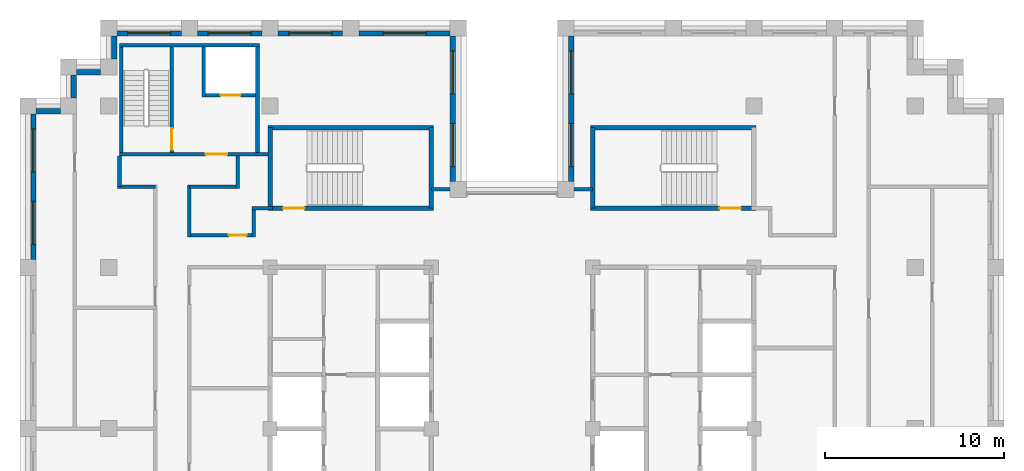
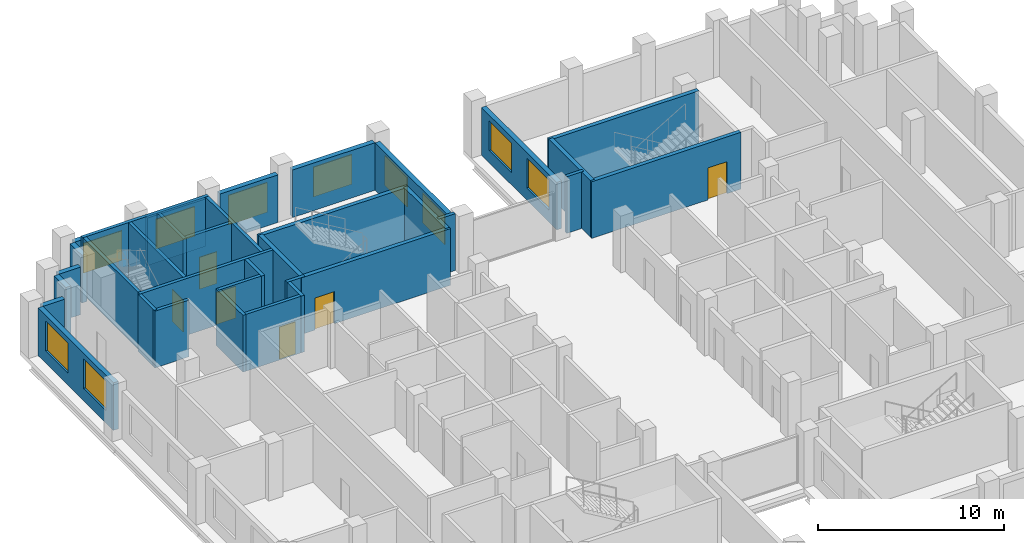
# One storey, part 10 of 13: 35 walls, 10 windows, 6 doors, 16 openings.
"""IFC4 building model written with IfcOpenShell, lengths in metres."""

from ifc_helpers import new_model, si_unit, direction, frame, frame_2d, origin, place, context, subcontext, project, spatial, rectangle, extrude, material, layer, layer_set, type_object, element, fill, save


model = new_model("IFC4")

# Units and contexts
model_context = context("Model", 3, precision=1e-05, world=origin(), true_north=direction((0.0, 1.0)))
body_context = subcontext(model_context, "Body", "Model", "MODEL_VIEW")
ifc_project = project(units=[si_unit("LENGTHUNIT", "METRE"), si_unit("AREAUNIT", "SQUARE_METRE"), si_unit("VOLUMEUNIT", "CUBIC_METRE"), si_unit("PLANEANGLEUNIT", "RADIAN"), si_unit("MASSUNIT", "GRAM", prefix="KILO")], contexts=[model_context])

# Site, building, storey
site_placement = place(None, origin())
site = spatial("IfcSite", under=ifc_project, at=site_placement, CompositionType="ELEMENT")
building_placement = place(site_placement, origin())
building = spatial("IfcBuilding", under=site, at=building_placement, Name="Corbelhall Arena Tower", CompositionType="ELEMENT")
storey_placement = place(building_placement, frame((0.0, 0.0, 246.0)))
storey = spatial("IfcBuildingStorey", under=building, at=storey_placement, Name="L52", CompositionType="ELEMENT", Elevation=246.0)

# Walls
ifc_material_1 = material(Name="Precast concrete C40/50 with granite facing", Category="masonry")
ifc_layer_1 = layer(ifc_material_1, 0.300048828125)
ifc_layer_set_1 = layer_set([ifc_layer_1], Name="EV-IW1 Infill panel 300")
wall_type_1 = type_object("IfcWallType", Name="EV-IW1 Infill panel 300", PredefinedType="SOLIDWALL", material=ifc_layer_set_1)
wall_1_placement = place(storey_placement, frame((-24.449951171875, 19.72509765625, 0.0), z_axis=(0.0, 0.0, 1.0), x_axis=(0.0, -1.0, 0.0)))
element("IfcWall", 1, at=wall_1_placement, inside=storey, type_object=wall_type_1, Name="Infill panel IW1", PredefinedType="SOLIDWALL", context=body_context, shape_type="SweptSolid", body=[
    extrude(rectangle(XDim=1.275146484375, YDim=0.300048828125, at=frame_2d((0.6376953125, 0.0))), origin(), (0.0, 0.0, 1.0), 3.1201171875),
])
wall_2_placement = place(storey_placement, frame((-25.199951171875, 17.699951171875, 0.0), z_axis=(0.0, 0.0, 1.0), x_axis=(-1.0, 0.0, 0.0)))
element("IfcWall", 2, at=wall_2_placement, inside=storey, type_object=wall_type_1, Name="Infill panel IW1", PredefinedType="SOLIDWALL", context=body_context, shape_type="SweptSolid", body=[
    extrude(rectangle(XDim=1.35009765625, YDim=0.300048828125, at=frame_2d((0.675048828125, 0.0))), origin(), (0.0, 0.0, 1.0), 3.1201171875),
])

# Wall, openings, windows
wall_3_placement = place(storey_placement, frame((-26.699951171875, 17.550048828125, 0.0), z_axis=(0.0, 0.0, 1.0), x_axis=(0.0, -1.0, 0.0)))
wall_3 = element("IfcWall", 3, at=wall_3_placement, inside=storey, type_object=wall_type_1, Name="Infill panel IW1", PredefinedType="SOLIDWALL", context=body_context, shape_type="SweptSolid", body=[
    extrude(rectangle(XDim=8.10009765625, YDim=0.300048828125, at=frame_2d((4.050048828125, 0.0))), origin(), (0.0, 0.0, 1.0), 3.1201171875),
])
opening_1_placement = place(wall_3_placement, frame((0.824951171875, 0.0, 0.800048828125)))
opening_1 = element("IfcOpeningElement", 4, at=opening_1_placement, cuts=wall_3, Name="Opening WN1", PredefinedType="OPENING", context=body_context, shape_type="SweptSolid", body=[
    extrude(rectangle(XDim=2.39990234375, YDim=1.949951171875, at=frame_2d((1.199951171875, 0.97509765625))), frame((0.0, 0.14990234375, 0.0), z_axis=(0.0, -1.0, 0.0), x_axis=(1.0, 0.0, 0.0)), (0.0, 0.0, 1.0), 0.300048828125),
])
opening_2_placement = place(wall_3_placement, frame((4.875, 0.0, 0.800048828125)))
opening_2 = element("IfcOpeningElement", 5, at=opening_2_placement, cuts=wall_3, Name="Opening WN1", PredefinedType="OPENING", context=body_context, shape_type="SweptSolid", body=[
    extrude(rectangle(XDim=2.39990234375, YDim=1.949951171875, at=frame_2d((1.199951171875, 0.97509765625))), frame((0.0, 0.14990234375, 0.0), z_axis=(0.0, -1.0, 0.0), x_axis=(1.0, 0.0, 0.0)), (0.0, 0.0, 1.0), 0.300048828125),
])
ifc_material_2 = material(Name="Aluminium black anodised", Category="aluminium")
window_type = type_object("IfcWindowType", Name="EV-WN1 Office window", PartitioningType="SINGLE_PANEL", PredefinedType="WINDOW", material=ifc_material_2)
window_1_placement = place(opening_1_placement, origin())
window_1 = element("IfcWindow", 6, at=window_1_placement, inside=storey, type_object=window_type, Name="Window WN1", OverallHeight=1.949951171875, OverallWidth=2.39990234375, PartitioningType="SINGLE_PANEL", PredefinedType="WINDOW", context=body_context, shape_type="SweptSolid", body=[
    extrude(rectangle(XDim=2.39990234375, YDim=1.949951171875, at=frame_2d((1.199951171875, 0.97509765625))), frame((0.0, 0.030029296875, 0.0), z_axis=(0.0, -1.0, 0.0), x_axis=(1.0, 0.0, 0.0)), (0.0, 0.0, 1.0), 0.06005859375),
])
fill(opening_1, window_1)
window_2_placement = place(opening_2_placement, origin())
window_2 = element("IfcWindow", 7, at=window_2_placement, inside=storey, type_object=window_type, Name="Window WN1", OverallHeight=1.949951171875, OverallWidth=2.39990234375, PartitioningType="SINGLE_PANEL", PredefinedType="WINDOW", context=body_context, shape_type="SweptSolid", body=[
    extrude(rectangle(XDim=2.39990234375, YDim=1.949951171875, at=frame_2d((1.199951171875, 0.97509765625))), frame((0.0, 0.030029296875, 0.0), z_axis=(0.0, -1.0, 0.0), x_axis=(1.0, 0.0, 0.0)), (0.0, 0.0, 1.0), 0.06005859375),
])
fill(opening_2, window_2)

wall_4_placement = place(storey_placement, frame((3.300048828125, 21.89990234375, 0.0), z_axis=(0.0, 0.0, 1.0), x_axis=(0.0, -1.0, 0.0)))
wall_4 = element("IfcWall", 8, at=wall_4_placement, inside=storey, type_object=wall_type_1, Name="Infill panel IW1", PredefinedType="SOLIDWALL", context=body_context, shape_type="SweptSolid", body=[
    extrude(rectangle(XDim=8.099853515625, YDim=0.300048828125, at=frame_2d((4.0498046875, 0.0))), origin(), (0.0, 0.0, 1.0), 3.1201171875),
])
opening_3_placement = place(wall_4_placement, frame((0.824951171875, 0.0, 0.800048828125)))
opening_3 = element("IfcOpeningElement", 9, at=opening_3_placement, cuts=wall_4, Name="Opening WN1", PredefinedType="OPENING", context=body_context, shape_type="SweptSolid", body=[
    extrude(rectangle(XDim=2.39990234375, YDim=1.949951171875, at=frame_2d((1.199951171875, 0.97509765625))), frame((0.0, 0.14990234375, 0.0), z_axis=(0.0, -1.0, 0.0), x_axis=(1.0, 0.0, 0.0)), (0.0, 0.0, 1.0), 0.300048828125),
])
opening_4_placement = place(wall_4_placement, frame((4.875, 0.0, 0.800048828125)))
opening_4 = element("IfcOpeningElement", 10, at=opening_4_placement, cuts=wall_4, Name="Opening WN1", PredefinedType="OPENING", context=body_context, shape_type="SweptSolid", body=[
    extrude(rectangle(XDim=2.39990234375, YDim=1.949951171875, at=frame_2d((1.199951171875, 0.97509765625))), frame((0.0, 0.14990234375, 0.0), z_axis=(0.0, -1.0, 0.0), x_axis=(1.0, 0.0, 0.0)), (0.0, 0.0, 1.0), 0.300048828125),
])
window_3_placement = place(opening_3_placement, origin())
window_3 = element("IfcWindow", 11, at=window_3_placement, inside=storey, type_object=window_type, Name="Window WN1", OverallHeight=1.949951171875, OverallWidth=2.39990234375, PartitioningType="SINGLE_PANEL", PredefinedType="WINDOW", context=body_context, shape_type="SweptSolid", body=[
    extrude(rectangle(XDim=2.39990234375, YDim=1.949951171875, at=frame_2d((1.199951171875, 0.97509765625))), frame((0.0, 0.030029296875, 0.0), z_axis=(0.0, -1.0, 0.0), x_axis=(1.0, 0.0, 0.0)), (0.0, 0.0, 1.0), 0.06005859375),
])
fill(opening_3, window_3)
window_4_placement = place(opening_4_placement, origin())
window_4 = element("IfcWindow", 12, at=window_4_placement, inside=storey, type_object=window_type, Name="Window WN1", OverallHeight=1.949951171875, OverallWidth=2.39990234375, PartitioningType="SINGLE_PANEL", PredefinedType="WINDOW", context=body_context, shape_type="SweptSolid", body=[
    extrude(rectangle(XDim=2.39990234375, YDim=1.949951171875, at=frame_2d((1.199951171875, 0.97509765625))), frame((0.0, 0.030029296875, 0.0), z_axis=(0.0, -1.0, 0.0), x_axis=(1.0, 0.0, 0.0)), (0.0, 0.0, 1.0), 0.06005859375),
])
fill(opening_4, window_4)

wall_5_placement = place(storey_placement, frame((-3.300048828125, 13.800048828125, 0.0), z_axis=(0.0, 0.0, 1.0), x_axis=(0.0, 1.0, 0.0)))
wall_5 = element("IfcWall", 13, at=wall_5_placement, inside=storey, type_object=wall_type_1, Name="Infill panel IW1", PredefinedType="SOLIDWALL", context=body_context, shape_type="SweptSolid", body=[
    extrude(rectangle(XDim=8.099853515625, YDim=0.300048828125, at=frame_2d((4.0498046875, 0.0))), origin(), (0.0, 0.0, 1.0), 3.1201171875),
])
opening_5_placement = place(wall_5_placement, frame((0.824951171875, 0.0, 0.800048828125)))
opening_5 = element("IfcOpeningElement", 14, at=opening_5_placement, cuts=wall_5, Name="Opening WN1", PredefinedType="OPENING", context=body_context, shape_type="SweptSolid", body=[
    extrude(rectangle(XDim=2.39990234375, YDim=1.949951171875, at=frame_2d((1.199951171875, 0.97509765625))), frame((0.0, 0.14990234375, 0.0), z_axis=(0.0, -1.0, 0.0), x_axis=(1.0, 0.0, 0.0)), (0.0, 0.0, 1.0), 0.300048828125),
])
opening_6_placement = place(wall_5_placement, frame((4.875, 0.0, 0.800048828125)))
opening_6 = element("IfcOpeningElement", 15, at=opening_6_placement, cuts=wall_5, Name="Opening WN1", PredefinedType="OPENING", context=body_context, shape_type="SweptSolid", body=[
    extrude(rectangle(XDim=2.39990234375, YDim=1.949951171875, at=frame_2d((1.199951171875, 0.97509765625))), frame((0.0, 0.14990234375, 0.0), z_axis=(0.0, -1.0, 0.0), x_axis=(1.0, 0.0, 0.0)), (0.0, 0.0, 1.0), 0.300048828125),
])
window_5_placement = place(opening_5_placement, origin())
window_5 = element("IfcWindow", 16, at=window_5_placement, inside=storey, type_object=window_type, Name="Window WN1", OverallHeight=1.949951171875, OverallWidth=2.39990234375, PartitioningType="SINGLE_PANEL", PredefinedType="WINDOW", context=body_context, shape_type="SweptSolid", body=[
    extrude(rectangle(XDim=2.39990234375, YDim=1.949951171875, at=frame_2d((1.199951171875, 0.97509765625))), frame((0.0, 0.030029296875, 0.0), z_axis=(0.0, -1.0, 0.0), x_axis=(1.0, 0.0, 0.0)), (0.0, 0.0, 1.0), 0.06005859375),
])
fill(opening_5, window_5)
window_6_placement = place(opening_6_placement, origin())
window_6 = element("IfcWindow", 17, at=window_6_placement, inside=storey, type_object=window_type, Name="Window WN1", OverallHeight=1.949951171875, OverallWidth=2.39990234375, PartitioningType="SINGLE_PANEL", PredefinedType="WINDOW", context=body_context, shape_type="SweptSolid", body=[
    extrude(rectangle(XDim=2.39990234375, YDim=1.949951171875, at=frame_2d((1.199951171875, 0.97509765625))), frame((0.0, 0.030029296875, 0.0), z_axis=(0.0, -1.0, 0.0), x_axis=(1.0, 0.0, 0.0)), (0.0, 0.0, 1.0), 0.06005859375),
])
fill(opening_6, window_6)

# Wall, opening, window
wall_6_placement = place(storey_placement, frame((-3.449951171875, 22.050048828125, 0.0), z_axis=(0.0, 0.0, 1.0), x_axis=(-1.0, 0.0, 0.0)))
wall_6 = element("IfcWall", 18, at=wall_6_placement, inside=storey, type_object=wall_type_1, Name="Infill panel IW1", PredefinedType="SOLIDWALL", context=body_context, shape_type="SweptSolid", body=[
    extrude(rectangle(XDim=5.10009765625, YDim=0.300048828125, at=frame_2d((2.550048828125, 0.0))), origin(), (0.0, 0.0, 1.0), 3.1201171875),
])
opening_7_placement = place(wall_6_placement, frame((1.35009765625, 0.0, 0.800048828125)))
opening_7 = element("IfcOpeningElement", 19, at=opening_7_placement, cuts=wall_6, Name="Opening WN1", PredefinedType="OPENING", context=body_context, shape_type="SweptSolid", body=[
    extrude(rectangle(XDim=2.39990234375, YDim=1.949951171875, at=frame_2d((1.199951171875, 0.97509765625))), frame((0.0, 0.14990234375, 0.0), z_axis=(0.0, -1.0, 0.0), x_axis=(1.0, 0.0, 0.0)), (0.0, 0.0, 1.0), 0.300048828125),
])
window_7_placement = place(opening_7_placement, origin())
window_7 = element("IfcWindow", 20, at=window_7_placement, inside=storey, type_object=window_type, Name="Window WN1", OverallHeight=1.949951171875, OverallWidth=2.39990234375, PartitioningType="SINGLE_PANEL", PredefinedType="WINDOW", context=body_context, shape_type="SweptSolid", body=[
    extrude(rectangle(XDim=2.39990234375, YDim=1.949951171875, at=frame_2d((1.199951171875, 0.97509765625))), frame((0.0, 0.030029296875, 0.0), z_axis=(0.0, -1.0, 0.0), x_axis=(1.0, 0.0, 0.0)), (0.0, 0.0, 1.0), 0.06005859375),
])
fill(opening_7, window_7)

wall_7_placement = place(storey_placement, frame((-9.449951171875, 22.050048828125, 0.0), z_axis=(0.0, 0.0, 1.0), x_axis=(-1.0, 0.0, 0.0)))
wall_7 = element("IfcWall", 21, at=wall_7_placement, inside=storey, type_object=wall_type_1, Name="Infill panel IW1", PredefinedType="SOLIDWALL", context=body_context, shape_type="SweptSolid", body=[
    extrude(rectangle(XDim=3.60009765625, YDim=0.300048828125, at=frame_2d((1.800048828125, 0.0))), origin(), (0.0, 0.0, 1.0), 3.1201171875),
])
opening_8_placement = place(wall_7_placement, frame((0.60009765625, 0.0, 0.800048828125)))
opening_8 = element("IfcOpeningElement", 22, at=opening_8_placement, cuts=wall_7, Name="Opening WN1", PredefinedType="OPENING", context=body_context, shape_type="SweptSolid", body=[
    extrude(rectangle(XDim=2.39990234375, YDim=1.949951171875, at=frame_2d((1.199951171875, 0.97509765625))), frame((0.0, 0.14990234375, 0.0), z_axis=(0.0, -1.0, 0.0), x_axis=(1.0, 0.0, 0.0)), (0.0, 0.0, 1.0), 0.300048828125),
])
window_8_placement = place(opening_8_placement, origin())
window_8 = element("IfcWindow", 23, at=window_8_placement, inside=storey, type_object=window_type, Name="Window WN1", OverallHeight=1.949951171875, OverallWidth=2.39990234375, PartitioningType="SINGLE_PANEL", PredefinedType="WINDOW", context=body_context, shape_type="SweptSolid", body=[
    extrude(rectangle(XDim=2.39990234375, YDim=1.949951171875, at=frame_2d((1.199951171875, 0.97509765625))), frame((0.0, 0.030029296875, 0.0), z_axis=(0.0, -1.0, 0.0), x_axis=(1.0, 0.0, 0.0)), (0.0, 0.0, 1.0), 0.06005859375),
])
fill(opening_8, window_8)

wall_8_placement = place(storey_placement, frame((-13.949951171875, 22.050048828125, 0.0), z_axis=(0.0, 0.0, 1.0), x_axis=(-1.0, 0.0, 0.0)))
wall_8 = element("IfcWall", 24, at=wall_8_placement, inside=storey, type_object=wall_type_1, Name="Infill panel IW1", PredefinedType="SOLIDWALL", context=body_context, shape_type="SweptSolid", body=[
    extrude(rectangle(XDim=3.60009765625, YDim=0.300048828125, at=frame_2d((1.800048828125, 0.0))), origin(), (0.0, 0.0, 1.0), 3.1201171875),
])
opening_9_placement = place(wall_8_placement, frame((0.60009765625, 0.0, 0.800048828125)))
opening_9 = element("IfcOpeningElement", 25, at=opening_9_placement, cuts=wall_8, Name="Opening WN1", PredefinedType="OPENING", context=body_context, shape_type="SweptSolid", body=[
    extrude(rectangle(XDim=2.39990234375, YDim=1.949951171875, at=frame_2d((1.199951171875, 0.97509765625))), frame((0.0, 0.14990234375, 0.0), z_axis=(0.0, -1.0, 0.0), x_axis=(1.0, 0.0, 0.0)), (0.0, 0.0, 1.0), 0.300048828125),
])
window_9_placement = place(opening_9_placement, origin())
window_9 = element("IfcWindow", 26, at=window_9_placement, inside=storey, type_object=window_type, Name="Window WN1", OverallHeight=1.949951171875, OverallWidth=2.39990234375, PartitioningType="SINGLE_PANEL", PredefinedType="WINDOW", context=body_context, shape_type="SweptSolid", body=[
    extrude(rectangle(XDim=2.39990234375, YDim=1.949951171875, at=frame_2d((1.199951171875, 0.97509765625))), frame((0.0, 0.030029296875, 0.0), z_axis=(0.0, -1.0, 0.0), x_axis=(1.0, 0.0, 0.0)), (0.0, 0.0, 1.0), 0.06005859375),
])
fill(opening_9, window_9)

wall_9_placement = place(storey_placement, frame((-18.449951171875, 22.050048828125, 0.0), z_axis=(0.0, 0.0, 1.0), x_axis=(-1.0, 0.0, 0.0)))
wall_9 = element("IfcWall", 27, at=wall_9_placement, inside=storey, type_object=wall_type_1, Name="Infill panel IW1", PredefinedType="SOLIDWALL", context=body_context, shape_type="SweptSolid", body=[
    extrude(rectangle(XDim=3.60009765625, YDim=0.300048828125, at=frame_2d((1.800048828125, 0.0))), origin(), (0.0, 0.0, 1.0), 3.1201171875),
])
opening_10_placement = place(wall_9_placement, frame((0.60009765625, 0.0, 0.800048828125)))
opening_10 = element("IfcOpeningElement", 28, at=opening_10_placement, cuts=wall_9, Name="Opening WN1", PredefinedType="OPENING", context=body_context, shape_type="SweptSolid", body=[
    extrude(rectangle(XDim=2.39990234375, YDim=1.949951171875, at=frame_2d((1.199951171875, 0.97509765625))), frame((0.0, 0.14990234375, 0.0), z_axis=(0.0, -1.0, 0.0), x_axis=(1.0, 0.0, 0.0)), (0.0, 0.0, 1.0), 0.300048828125),
])
window_10_placement = place(opening_10_placement, origin())
window_10 = element("IfcWindow", 29, at=window_10_placement, inside=storey, type_object=window_type, Name="Window WN1", OverallHeight=1.949951171875, OverallWidth=2.39990234375, PartitioningType="SINGLE_PANEL", PredefinedType="WINDOW", context=body_context, shape_type="SweptSolid", body=[
    extrude(rectangle(XDim=2.39990234375, YDim=1.949951171875, at=frame_2d((1.199951171875, 0.97509765625))), frame((0.0, 0.030029296875, 0.0), z_axis=(0.0, -1.0, 0.0), x_axis=(1.0, 0.0, 0.0)), (0.0, 0.0, 1.0), 0.06005859375),
])
fill(opening_10, window_10)

# Walls
wall_10_placement = place(storey_placement, frame((-22.199951171875, 21.89990234375, 0.0), z_axis=(0.0, 0.0, 1.0), x_axis=(0.0, -1.0, 0.0)))
element("IfcWall", 30, at=wall_10_placement, inside=storey, type_object=wall_type_1, Name="Infill panel IW1", PredefinedType="SOLIDWALL", context=body_context, shape_type="SweptSolid", body=[
    extrude(rectangle(XDim=1.27490234375, YDim=0.300048828125, at=frame_2d((0.637451171875, 0.0))), origin(), (0.0, 0.0, 1.0), 3.1201171875),
])
wall_11_placement = place(storey_placement, frame((-22.949951171875, 19.875, 0.0), z_axis=(0.0, 0.0, 1.0), x_axis=(-1.0, 0.0, 0.0)))
element("IfcWall", 31, at=wall_11_placement, inside=storey, type_object=wall_type_1, Name="Infill panel IW1", PredefinedType="SOLIDWALL", context=body_context, shape_type="SweptSolid", body=[
    extrude(rectangle(XDim=1.35009765625, YDim=0.300048828125, at=frame_2d((0.675048828125, 0.0))), origin(), (0.0, 0.0, 1.0), 3.1201171875),
])
ifc_material_3 = material(Name="Gypsum board on steel stud, acoustic", Category="steel")
ifc_layer_2 = layer(ifc_material_3, 0.199951171875)
ifc_layer_set_2 = layer_set([ifc_layer_2], Name="IN-W-DM200")
wall_type_2 = type_object("IfcWallType", Name="IN-W-DM200", PredefinedType="PARTITIONING", material=ifc_layer_set_2)
wall_12_placement = place(storey_placement, frame((-21.89990234375, 13.5, 0.0), z_axis=(0.0, 0.0, 1.0), x_axis=(0.0, 1.0, 0.0)))
element("IfcWall", 32, at=wall_12_placement, inside=storey, type_object=wall_type_2, Name="Partition 005", PredefinedType="PARTITIONING", context=body_context, shape_type="SweptSolid", body=[
    extrude(rectangle(XDim=1.699951171875, YDim=0.199951171875, at=frame_2d((0.85009765625, 0.0))), origin(), (0.0, 0.0, 1.0), 3.719970703125),
])
wall_13_placement = place(storey_placement, frame((-19.89990234375, 13.5, 0.0), z_axis=(0.0, 0.0, 1.0), x_axis=(-1.0, 0.0, 0.0)))
element("IfcWall", 33, at=wall_13_placement, inside=storey, type_object=wall_type_2, Name="Partition 007", PredefinedType="PARTITIONING", context=body_context, shape_type="SweptSolid", body=[
    extrude(rectangle(XDim=2.10009765625, YDim=0.199951171875, at=frame_2d((1.050048828125, 0.0))), origin(), (0.0, 0.0, 1.0), 3.719970703125),
])

# Wall, opening, door
wall_14_placement = place(storey_placement, frame((-18.0, 10.800048828125, 0.0), z_axis=(0.0, 0.0, 1.0), x_axis=(1.0, 0.0, 0.0)))
wall_14 = element("IfcWall", 34, at=wall_14_placement, inside=storey, type_object=wall_type_2, Name="Partition 012", PredefinedType="PARTITIONING", context=body_context, shape_type="SweptSolid", body=[
    extrude(rectangle(XDim=3.60009765625, YDim=0.199951171875, at=frame_2d((1.800048828125, 0.0))), origin(), (0.0, 0.0, 1.0), 3.719970703125),
])
opening_11_placement = place(wall_14_placement, frame((2.199951171875, 0.0, 0.0)))
opening_11 = element("IfcOpeningElement", 35, at=opening_11_placement, cuts=wall_14, Name="Opening 16025", PredefinedType="OPENING", context=body_context, shape_type="SweptSolid", body=[
    extrude(rectangle(XDim=1.0, YDim=2.10009765625, at=frame_2d((0.5, 1.050048828125))), frame((0.0, 0.10009765625, 0.0), z_axis=(0.0, -1.0, 0.0), x_axis=(1.0, 0.0, 0.0)), (0.0, 0.0, 1.0), 0.199951171875),
])
ifc_material_4 = material(Name="Steel door set", Category="steel")
door_type_1 = type_object("IfcDoorType", Name="IN-D-SW100", OperationType="NOTDEFINED", PredefinedType="DOOR", material=ifc_material_4)
door_1_placement = place(opening_11_placement, origin())
door_1 = element("IfcDoor", 36, at=door_1_placement, inside=storey, type_object=door_type_1, Name="Door 025", OperationType="SINGLE_SWING_RIGHT", OverallHeight=2.10009765625, OverallWidth=1.0, PredefinedType="DOOR", context=body_context, shape_type="SweptSolid", body=[
    extrude(rectangle(XDim=1.0, YDim=2.10009765625, at=frame_2d((0.5, 1.050048828125))), frame((0.0, 0.02490234375, 0.0), z_axis=(0.0, -1.0, 0.0), x_axis=(1.0, 0.0, 0.0)), (0.0, 0.0, 1.0), 0.050048828125),
])
fill(opening_11, door_1)

# Walls
wall_15_placement = place(storey_placement, frame((-18.0, 13.60009765625, 0.0), z_axis=(0.0, 0.0, 1.0), x_axis=(0.0, -1.0, 0.0)))
element("IfcWall", 37, at=wall_15_placement, inside=storey, type_object=wall_type_2, Name="Partition 013", PredefinedType="PARTITIONING", context=body_context, shape_type="SweptSolid", body=[
    extrude(rectangle(XDim=2.900146484375, YDim=0.199951171875, at=frame_2d((1.4501953125, 0.0))), origin(), (0.0, 0.0, 1.0), 3.719970703125),
])
wall_16_placement = place(storey_placement, frame((-15.300048828125, 13.5, 0.0), z_axis=(0.0, 0.0, 1.0), x_axis=(-1.0, 0.0, 0.0)))
element("IfcWall", 38, at=wall_16_placement, inside=storey, type_object=wall_type_2, Name="Partition 014", PredefinedType="PARTITIONING", context=body_context, shape_type="SweptSolid", body=[
    extrude(rectangle(XDim=2.699951171875, YDim=0.199951171875, at=frame_2d((1.35009765625, 0.0))), origin(), (0.0, 0.0, 1.0), 3.719970703125),
])
wall_17_placement = place(storey_placement, frame((-15.300048828125, 15.199951171875, 0.0), z_axis=(0.0, 0.0, 1.0), x_axis=(0.0, -1.0, 0.0)))
element("IfcWall", 39, at=wall_17_placement, inside=storey, type_object=wall_type_2, Name="Partition 015", PredefinedType="PARTITIONING", context=body_context, shape_type="SweptSolid", body=[
    extrude(rectangle(XDim=1.800048828125, YDim=0.199951171875, at=frame_2d((0.89990234375, 0.0))), origin(), (0.0, 0.0, 1.0), 3.719970703125),
])
wall_18_placement = place(storey_placement, frame((-14.5, 12.300048828125, 0.0), z_axis=(0.0, 0.0, 1.0), x_axis=(1.0, 0.0, 0.0)))
element("IfcWall", 40, at=wall_18_placement, inside=storey, type_object=wall_type_2, Name="Partition 016", PredefinedType="PARTITIONING", context=body_context, shape_type="SweptSolid", body=[
    extrude(rectangle(XDim=1.125, YDim=0.199951171875, at=frame_2d((0.5625, 0.0))), origin(), (0.0, 0.0, 1.0), 3.719970703125),
])
wall_19_placement = place(storey_placement, frame((-14.39990234375, 10.699951171875, 0.0), z_axis=(0.0, 0.0, 1.0), x_axis=(0.0, 1.0, 0.0)))
element("IfcWall", 41, at=wall_19_placement, inside=storey, type_object=wall_type_2, Name="Partition 020", PredefinedType="PARTITIONING", context=body_context, shape_type="SweptSolid", body=[
    extrude(rectangle(XDim=1.60009765625, YDim=0.199951171875, at=frame_2d((0.800048828125, 0.0))), origin(), (0.0, 0.0, 1.0), 3.719970703125),
])
for number, where, z_axis, x_axis, name in (
    (42, (-4.5, 13.35009765625, 0.0), (0.0, 0.0, 1.0), (1.0, 0.0, 0.0), "Partition 022"),
    (43, (3.449951171875, 13.35009765625, 0.0), (0.0, 0.0, 1.0), (1.0, 0.0, 0.0), "Partition 024"),
):
    element("IfcWall", number, at=place(storey_placement, frame(where, z_axis=z_axis, x_axis=x_axis)), inside=storey, type_object=wall_type_2, Name=name, PredefinedType="PARTITIONING", context=body_context, shape_type="SweptSolid", body=[
        extrude(rectangle(XDim=1.050048828125, YDim=0.199951171875, at=frame_2d((0.52490234375, 0.0))), origin(), (0.0, 0.0, 1.0), 3.719970703125),
    ])

# Wall, opening, door
ifc_material_5 = material(Name="Concrete C40/50", Category="concrete")
ifc_layer_3 = layer(ifc_material_5, 0.199951171875)
ifc_layer_set_3 = layer_set([ifc_layer_3], Name="IN-W-EAR200")
wall_type_3 = type_object("IfcWallType", Name="IN-W-EAR200", PredefinedType="SOLIDWALL", material=ifc_layer_set_3)
wall_20_placement = place(storey_placement, frame((-21.89990234375, 15.300048828125, 0.0), z_axis=(0.0, 0.0, 1.0), x_axis=(1.0, 0.0, 0.0)))
wall_20 = element("IfcWall", 44, at=wall_20_placement, inside=storey, type_object=wall_type_3, Name="Fire service turret wall south", PredefinedType="SOLIDWALL", context=body_context, shape_type="SweptSolid", body=[
    extrude(rectangle(XDim=8.27490234375, YDim=0.199951171875, at=frame_2d((4.137451171875, 0.0))), origin(), (0.0, 0.0, 1.0), 3.719970703125),
])
opening_12_placement = place(wall_20_placement, frame((4.800048828125, 0.0, 0.0)))
opening_12 = element("IfcOpeningElement", 45, at=opening_12_placement, cuts=wall_20, Name="Opening E162", PredefinedType="OPENING", context=body_context, shape_type="SweptSolid", body=[
    extrude(rectangle(XDim=1.199951171875, YDim=2.10009765625, at=frame_2d((0.60009765625, 1.050048828125))), frame((0.0, 0.10009765625, 0.0), z_axis=(0.0, -1.0, 0.0), x_axis=(1.0, 0.0, 0.0)), (0.0, 0.0, 1.0), 0.199951171875),
])
door_type_2 = type_object("IfcDoorType", Name="IN-D-ST120", OperationType="NOTDEFINED", PredefinedType="DOOR", material=ifc_material_4)
door_2_placement = place(opening_12_placement, origin())
door_2 = element("IfcDoor", 46, at=door_2_placement, inside=storey, type_object=door_type_2, Name="Door from fire service lift lobby to circulation", OperationType="SINGLE_SWING_RIGHT", OverallHeight=2.10009765625, OverallWidth=1.199951171875, PredefinedType="DOOR", context=body_context, shape_type="SweptSolid", body=[
    extrude(rectangle(XDim=1.199951171875, YDim=2.10009765625, at=frame_2d((0.60009765625, 1.050048828125))), frame((0.0, 0.02490234375, 0.0), z_axis=(0.0, -1.0, 0.0), x_axis=(1.0, 0.0, 0.0)), (0.0, 0.0, 1.0), 0.050048828125),
])
fill(opening_12, door_2)

# Walls
wall_21_placement = place(storey_placement, frame((-21.89990234375, 21.39990234375, 0.0), z_axis=(0.0, 0.0, 1.0), x_axis=(1.0, 0.0, 0.0)))
element("IfcWall", 47, at=wall_21_placement, inside=storey, type_object=wall_type_3, Name="Fire service turret wall north", PredefinedType="SOLIDWALL", context=body_context, shape_type="SweptSolid", body=[
    extrude(rectangle(XDim=7.7998046875, YDim=0.199951171875, at=frame_2d((3.89990234375, 0.0))), origin(), (0.0, 0.0, 1.0), 3.719970703125),
])
for number, where, z_axis, x_axis, name in (
    (48, (-21.800048828125, 15.39990234375, 0.0), (0.0, 0.0, 1.0), (0.0, 1.0, 0.0), "Fire service turret wall west"),
    (49, (-14.199951171875, 15.39990234375, 0.0), (0.0, 0.0, 1.0), (0.0, 1.0, 0.0), "Fire service turret wall east"),
):
    element("IfcWall", number, at=place(storey_placement, frame(where, z_axis=z_axis, x_axis=x_axis)), inside=storey, type_object=wall_type_3, Name=name, PredefinedType="SOLIDWALL", context=body_context, shape_type="SweptSolid", body=[
        extrude(rectangle(XDim=5.900146484375, YDim=0.199951171875, at=frame_2d((2.9501953125, 0.0))), origin(), (0.0, 0.0, 1.0), 3.719970703125),
    ])

# Wall, opening, door
wall_22_placement = place(storey_placement, frame((-18.989990234375, 15.39990234375, 0.0), z_axis=(0.0, 0.0, 1.0), x_axis=(0.0, 1.0, 0.0)))
wall_22 = element("IfcWall", 50, at=wall_22_placement, inside=storey, type_object=wall_type_3, Name="Fire service turret wall stair", PredefinedType="SOLIDWALL", context=body_context, shape_type="SweptSolid", body=[
    extrude(rectangle(XDim=5.900146484375, YDim=0.199951171875, at=frame_2d((2.9501953125, 0.0))), origin(), (0.0, 0.0, 1.0), 3.719970703125),
])
opening_13_placement = place(wall_22_placement, frame((0.14990234375, 0.0, 0.0)))
opening_13 = element("IfcOpeningElement", 51, at=opening_13_placement, cuts=wall_22, Name="Opening E161", PredefinedType="OPENING", context=body_context, shape_type="SweptSolid", body=[
    extrude(rectangle(XDim=1.199951171875, YDim=2.10009765625, at=frame_2d((0.60009765625, 1.050048828125))), frame((0.0, 0.10009765625, 0.0), z_axis=(0.0, -1.0, 0.0), x_axis=(1.0, 0.0, 0.0)), (0.0, 0.0, 1.0), 0.199951171875),
])
door_3_placement = place(opening_13_placement, origin())
door_3 = element("IfcDoor", 52, at=door_3_placement, inside=storey, type_object=door_type_2, Name="Stair door to fire service lobby", OperationType="SINGLE_SWING_LEFT", OverallHeight=2.10009765625, OverallWidth=1.199951171875, PredefinedType="DOOR", context=body_context, shape_type="SweptSolid", body=[
    extrude(rectangle(XDim=1.199951171875, YDim=2.10009765625, at=frame_2d((0.60009765625, 1.050048828125))), frame((0.0, 0.02490234375, 0.0), z_axis=(0.0, -1.0, 0.0), x_axis=(1.0, 0.0, 0.0)), (0.0, 0.0, 1.0), 0.050048828125),
])
fill(opening_13, door_3)

# Wall
wall_23_placement = place(storey_placement, frame((-17.199951171875, 18.5, 0.0), z_axis=(0.0, 0.0, 1.0), x_axis=(0.0, 1.0, 0.0)))
element("IfcWall", 53, at=wall_23_placement, inside=storey, type_object=wall_type_3, Name="Fire service turret wall hoistway west", PredefinedType="SOLIDWALL", context=body_context, shape_type="SweptSolid", body=[
    extrude(rectangle(XDim=2.800048828125, YDim=0.199951171875, at=frame_2d((1.39990234375, 0.0))), origin(), (0.0, 0.0, 1.0), 3.719970703125),
])

# Wall, opening, door
wall_24_placement = place(storey_placement, frame((-17.10009765625, 18.60009765625, 0.0), z_axis=(0.0, 0.0, 1.0), x_axis=(1.0, 0.0, 0.0)))
wall_24 = element("IfcWall", 54, at=wall_24_placement, inside=storey, type_object=wall_type_3, Name="Fire service turret wall hoistway south", PredefinedType="SOLIDWALL", context=body_context, shape_type="SweptSolid", body=[
    extrude(rectangle(XDim=2.800048828125, YDim=0.199951171875, at=frame_2d((1.39990234375, 0.0))), origin(), (0.0, 0.0, 1.0), 3.719970703125),
])
opening_14_placement = place(wall_24_placement, frame((0.85009765625, 0.0, 0.0)))
opening_14 = element("IfcOpeningElement", 55, at=opening_14_placement, cuts=wall_24, Name="Opening LD", PredefinedType="OPENING", context=body_context, shape_type="SweptSolid", body=[
    extrude(rectangle(XDim=1.10009765625, YDim=2.10009765625, at=frame_2d((0.550048828125, 1.050048828125))), frame((0.0, 0.10009765625, 0.0), z_axis=(0.0, -1.0, 0.0), x_axis=(1.0, 0.0, 0.0)), (0.0, 0.0, 1.0), 0.199951171875),
])
door_type_3 = type_object("IfcDoorType", Name="IN-D-LD110", OperationType="NOTDEFINED", PredefinedType="DOOR", material=ifc_material_4)
door_4_placement = place(opening_14_placement, origin())
door_4 = element("IfcDoor", 56, at=door_4_placement, inside=storey, type_object=door_type_3, Name="Landing door FS1", OperationType="SLIDING_TO_LEFT", OverallHeight=2.10009765625, OverallWidth=1.10009765625, PredefinedType="DOOR", context=body_context, shape_type="SweptSolid", body=[
    extrude(rectangle(XDim=1.10009765625, YDim=2.10009765625, at=frame_2d((0.550048828125, 1.050048828125))), frame((0.0, 0.02490234375, 0.0), z_axis=(0.0, -1.0, 0.0), x_axis=(1.0, 0.0, 0.0)), (0.0, 0.0, 1.0), 0.050048828125),
])
fill(opening_14, door_4)

ifc_layer_4 = layer(ifc_material_5, 0.25)
ifc_layer_set_4 = layer_set([ifc_layer_4], Name="IN-W-ST250")
wall_type_4 = type_object("IfcWallType", Name="IN-W-ST250", PredefinedType="SOLIDWALL", material=ifc_layer_set_4)
wall_25_placement = place(storey_placement, frame((-13.625, 12.300048828125, 0.0), z_axis=(0.0, 0.0, 1.0), x_axis=(1.0, 0.0, 0.0)))
wall_25 = element("IfcWall", 57, at=wall_25_placement, inside=storey, type_object=wall_type_4, Name="Shaft wall 087", PredefinedType="SOLIDWALL", context=body_context, shape_type="SweptSolid", body=[
    extrude(rectangle(XDim=9.25, YDim=0.25, at=frame_2d((4.625, 0.0))), origin(), (0.0, 0.0, 1.0), 3.719970703125),
])
opening_15_placement = place(wall_25_placement, frame((0.85009765625, 0.0, 0.0)))
opening_15 = element("IfcOpeningElement", 58, at=opening_15_placement, cuts=wall_25, Name="Opening 16017", PredefinedType="OPENING", context=body_context, shape_type="SweptSolid", body=[
    extrude(rectangle(XDim=1.199951171875, YDim=2.10009765625, at=frame_2d((0.60009765625, 1.050048828125))), frame((0.0, 0.125, 0.0), z_axis=(0.0, -1.0, 0.0), x_axis=(1.0, 0.0, 0.0)), (0.0, 0.0, 1.0), 0.25),
])
door_5_placement = place(opening_15_placement, origin())
door_5 = element("IfcDoor", 59, at=door_5_placement, inside=storey, type_object=door_type_2, Name="Door 017", OperationType="SINGLE_SWING_RIGHT", OverallHeight=2.10009765625, OverallWidth=1.199951171875, PredefinedType="DOOR", context=body_context, shape_type="SweptSolid", body=[
    extrude(rectangle(XDim=1.199951171875, YDim=2.10009765625, at=frame_2d((0.60009765625, 1.050048828125))), frame((0.0, 0.02490234375, 0.0), z_axis=(0.0, -1.0, 0.0), x_axis=(1.0, 0.0, 0.0)), (0.0, 0.0, 1.0), 0.050048828125),
])
fill(opening_15, door_5)

# Walls
wall_26_placement = place(storey_placement, frame((-13.625, 16.800048828125, 0.0), z_axis=(0.0, 0.0, 1.0), x_axis=(1.0, 0.0, 0.0)))
element("IfcWall", 60, at=wall_26_placement, inside=storey, type_object=wall_type_4, Name="Shaft wall 088", PredefinedType="SOLIDWALL", context=body_context, shape_type="SweptSolid", body=[
    extrude(rectangle(XDim=9.25, YDim=0.25, at=frame_2d((4.625, 0.0))), origin(), (0.0, 0.0, 1.0), 3.719970703125),
])
for number, where, z_axis, x_axis, name in (
    (61, (-13.5, 12.300048828125, 0.0), (0.0, 0.0, 1.0), (0.0, 1.0, 0.0), "Shaft wall 090"),
    (62, (-4.5, 16.800048828125, 0.0), (0.0, 0.0, 1.0), (0.0, -1.0, 0.0), "Shaft wall 093"),
):
    element("IfcWall", number, at=place(storey_placement, frame(where, z_axis=z_axis, x_axis=x_axis)), inside=storey, type_object=wall_type_4, Name=name, PredefinedType="SOLIDWALL", context=body_context, shape_type="SweptSolid", body=[
        extrude(rectangle(XDim=4.5, YDim=0.25, at=frame_2d((2.25, 0.0))), origin(), (0.0, 0.0, 1.0), 3.719970703125),
    ])

# Wall, opening, door
wall_27_placement = place(storey_placement, frame((4.375, 12.300048828125, 0.0), z_axis=(0.0, 0.0, 1.0), x_axis=(1.0, 0.0, 0.0)))
wall_27 = element("IfcWall", 63, at=wall_27_placement, inside=storey, type_object=wall_type_4, Name="Shaft wall 095", PredefinedType="SOLIDWALL", context=body_context, shape_type="SweptSolid", body=[
    extrude(rectangle(XDim=9.25, YDim=0.25, at=frame_2d((4.625, 0.0))), origin(), (0.0, 0.0, 1.0), 3.719970703125),
])
opening_16_placement = place(wall_27_placement, frame((7.199951171875, 0.0, 0.0)))
opening_16 = element("IfcOpeningElement", 64, at=opening_16_placement, cuts=wall_27, Name="Opening 16019", PredefinedType="OPENING", context=body_context, shape_type="SweptSolid", body=[
    extrude(rectangle(XDim=1.199951171875, YDim=2.10009765625, at=frame_2d((0.60009765625, 1.050048828125))), frame((0.0, 0.125, 0.0), z_axis=(0.0, -1.0, 0.0), x_axis=(1.0, 0.0, 0.0)), (0.0, 0.0, 1.0), 0.25),
])
door_6_placement = place(opening_16_placement, origin())
door_6 = element("IfcDoor", 65, at=door_6_placement, inside=storey, type_object=door_type_2, Name="Door 019", OperationType="SINGLE_SWING_RIGHT", OverallHeight=2.10009765625, OverallWidth=1.199951171875, PredefinedType="DOOR", context=body_context, shape_type="SweptSolid", body=[
    extrude(rectangle(XDim=1.199951171875, YDim=2.10009765625, at=frame_2d((0.60009765625, 1.050048828125))), frame((0.0, 0.02490234375, 0.0), z_axis=(0.0, -1.0, 0.0), x_axis=(1.0, 0.0, 0.0)), (0.0, 0.0, 1.0), 0.050048828125),
])
fill(opening_16, door_6)

# Walls
wall_28_placement = place(storey_placement, frame((4.375, 16.800048828125, 0.0), z_axis=(0.0, 0.0, 1.0), x_axis=(1.0, 0.0, 0.0)))
element("IfcWall", 66, at=wall_28_placement, inside=storey, type_object=wall_type_4, Name="Shaft wall 096", PredefinedType="SOLIDWALL", context=body_context, shape_type="SweptSolid", body=[
    extrude(rectangle(XDim=9.25, YDim=0.25, at=frame_2d((4.625, 0.0))), origin(), (0.0, 0.0, 1.0), 3.719970703125),
])
wall_29_placement = place(storey_placement, frame((4.5, 12.300048828125, 0.0), z_axis=(0.0, 0.0, 1.0), x_axis=(0.0, 1.0, 0.0)))
element("IfcWall", 67, at=wall_29_placement, inside=storey, type_object=wall_type_4, Name="Shaft wall 098", PredefinedType="SOLIDWALL", context=body_context, shape_type="SweptSolid", body=[
    extrude(rectangle(XDim=4.5, YDim=0.25, at=frame_2d((2.25, 0.0))), origin(), (0.0, 0.0, 1.0), 3.719970703125),
])

save(model, "model.ifc")
